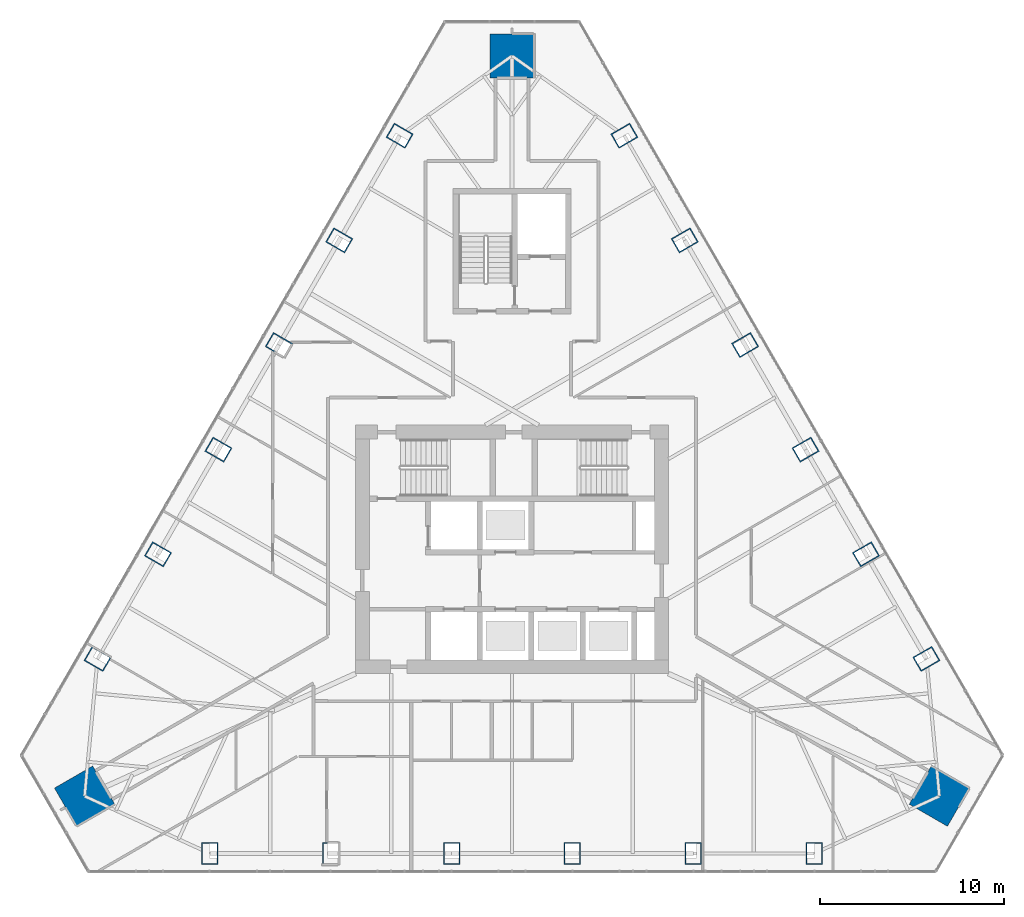
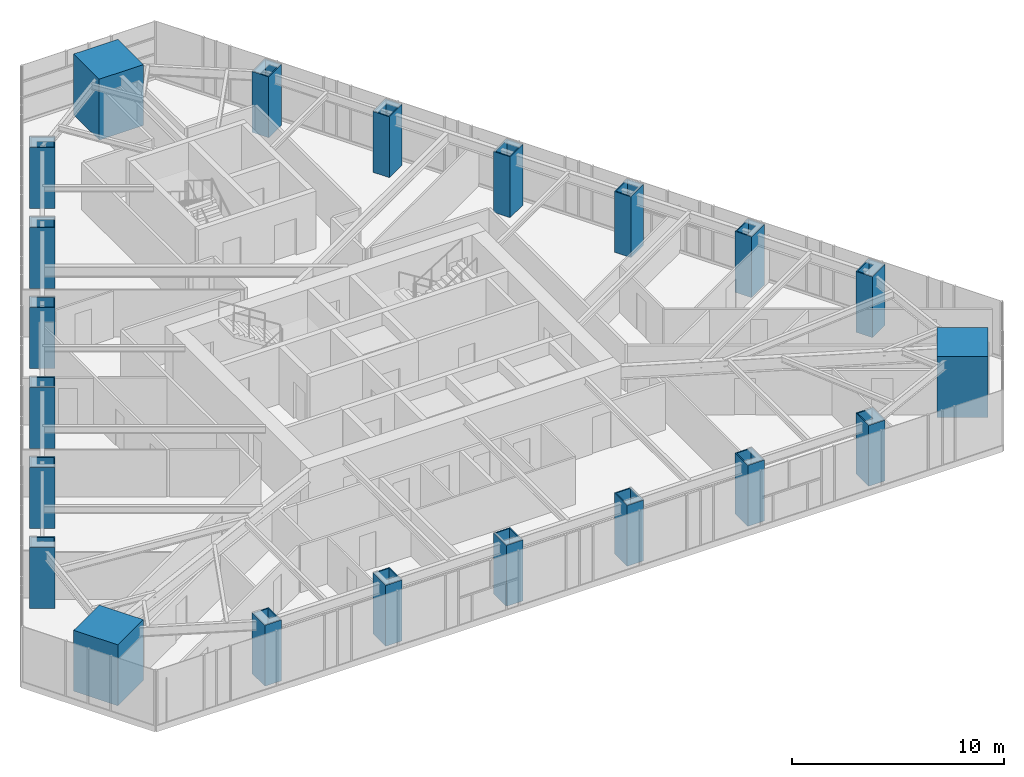
# One storey, part 1 of 20: 21 columns.
"""IFC4 building model written with IfcOpenShell, lengths in metres."""

from ifc_helpers import new_model, si_unit, direction, frame, origin, origin_2d, place, context, subcontext, project, spatial, rectangle, hollow_rectangle, extrude, material, material_profile, profile_set, type_object, element, save


model = new_model("IFC4")

# Units and contexts
model_context = context("Model", 3, precision=1e-05, world=origin(), true_north=direction((0.0, 1.0)))
body_context = subcontext(model_context, "Body", "Model", "MODEL_VIEW")
ifc_project = project(units=[si_unit("LENGTHUNIT", "METRE"), si_unit("AREAUNIT", "SQUARE_METRE"), si_unit("VOLUMEUNIT", "CUBIC_METRE"), si_unit("PLANEANGLEUNIT", "RADIAN"), si_unit("MASSUNIT", "GRAM", prefix="KILO")], contexts=[model_context])

# Site, building, storey
site_placement = place(None, origin())
site = spatial("IfcSite", under=ifc_project, at=site_placement, CompositionType="ELEMENT")
building_placement = place(site_placement, origin())
building = spatial("IfcBuilding", under=site, at=building_placement, Name="Firuza Gate Tower and Library", CompositionType="ELEMENT")
storey_placement = place(building_placement, frame((0.0, 0.0, 277.60009765625)))
storey = spatial("IfcBuildingStorey", under=building, at=storey_placement, Name="L66", CompositionType="ELEMENT", Elevation=277.60009765625)

# Columns
ifc_material_1 = material(Name="Steel S355", Category="steel")
ifc_material_profile_1 = material_profile(ifc_material_1, hollow_rectangle(XDim=0.89990234375, YDim=1.199951171875, WallThickness=0.06005859375, at=origin_2d()))
ifc_profile_set_1 = profile_set([ifc_material_profile_1], Name="Steel S355")
column_type_1 = type_object("IfcColumnType", Name="BU1200x900x60 Composite box column", PredefinedType="COLUMN", material=ifc_profile_set_1)
for number, where, z_axis, x_axis, name in (
    (1, (58.586669921875, 58.476318359375, -0.00048828125), (0.0, 0.0, 1.0), (1.0, 0.0, 0.0), "Column S1 L66"),
    (2, (65.152099609375, 58.476318359375, -0.00048828125), (0.0, 0.0, 1.0), (1.0, 0.0, 0.0), "Column S2 L66"),
    (3, (71.71728515625, 58.476318359375, -0.00048828125), (0.0, 0.0, 1.0), (1.0, 0.0, 0.0), "Column S3 L66"),
    (4, (78.28271484375, 58.476318359375, -0.00048828125), (0.0, 0.0, 1.0), (1.0, 0.0, 0.0), "Column S4 L66"),
    (5, (84.847900390625, 58.476318359375, -0.00048828125), (0.0, 0.0, 1.0), (1.0, 0.0, 0.0), "Column S5 L66"),
    (6, (91.413330078125, 58.476318359375, -0.00048828125), (0.0, 0.0, 1.0), (1.0, 0.0, 0.0), "Column S6 L66"),
    (7, (97.5166015625, 69.04736328125, -0.00048828125), (0.0, 0.0, 1.0), (-0.5, 0.866025403784, 0.0), "Column E1 L66"),
    (8, (94.23388671875, 74.733154296875, -0.00048828125), (0.0, 0.0, 1.0), (-0.5, 0.866025403784, 0.0), "Column E2 L66"),
    (9, (90.951171875, 80.4189453125, -0.00048828125), (0.0, 0.0, 1.0), (-0.5, 0.866025403784, 0.0), "Column E3 L66"),
    (10, (87.66845703125, 86.104736328125, -0.00048828125), (0.0, 0.0, 1.0), (-0.5, 0.866025403784, 0.0), "Column E4 L66"),
    (11, (84.385986328125, 91.79052734375, -0.00048828125), (0.0, 0.0, 1.0), (-0.5, 0.866025403784, 0.0), "Column E5 L66"),
    (12, (81.103271484375, 97.47607421875, -0.00048828125), (0.0, 0.0, 1.0), (-0.5, 0.866025403784, 0.0), "Column E6 L66"),
    (13, (68.896728515625, 97.47607421875, -0.00048828125), (0.0, 0.0, 1.0), (-0.5, -0.866025403784, 0.0), "Column W1 L66"),
    (14, (65.614013671875, 91.79052734375, -0.00048828125), (0.0, 0.0, 1.0), (-0.5, -0.866025403784, 0.0), "Column W2 L66"),
    (15, (62.33154296875, 86.104736328125, -0.00048828125), (0.0, 0.0, 1.0), (-0.5, -0.866025403784, 0.0), "Column W3 L66"),
    (16, (59.048828125, 80.4189453125, -0.00048828125), (0.0, 0.0, 1.0), (-0.5, -0.866025403784, 0.0), "Column W4 L66"),
    (17, (55.76611328125, 74.733154296875, -0.00048828125), (0.0, 0.0, 1.0), (-0.5, -0.866025403784, 0.0), "Column W5 L66"),
    (18, (52.4833984375, 69.04736328125, -0.00048828125), (0.0, 0.0, 1.0), (-0.5, -0.866025403784, 0.0), "Column W6 L66"),
):
    element("IfcColumn", number, at=place(storey_placement, frame(where, z_axis=z_axis, x_axis=x_axis)), inside=storey, type_object=column_type_1, Name=name, PredefinedType="COLUMN", context=body_context, shape_type="SweptSolid", body=[
        extrude(hollow_rectangle(XDim=0.89990234375, YDim=1.199951171875, WallThickness=0.06005859375, at=origin_2d()), origin(), (0.0, 0.0, 1.0), 3.50048828125),
    ])
ifc_material_2 = material(Name="Concrete C80/95", Category="concrete")
ifc_material_profile_2 = material_profile(ifc_material_2, rectangle(XDim=2.39990234375, YDim=2.39990234375, at=origin_2d()))
ifc_profile_set_2 = profile_set([ifc_material_profile_2], Name="Concrete C80/95")
column_type_2 = type_object("IfcColumnType", Name="Mega column 2400x2400 C80/95", PredefinedType="COLUMN", material=ifc_profile_set_2)
for number, where, z_axis, x_axis, name in (
    (19, (98.2197265625, 61.593994140625, 0.0), (0.0, 0.0, 1.0), (0.5, 0.866025403784, 0.0), "Mega column SE L66"),
    (20, (75.0, 101.81201171875, 0.0), (0.0, 0.0, 1.0), (-1.0, 0.0, 0.0), "Mega column N L66"),
    (21, (51.7802734375, 61.593994140625, 0.0), (0.0, 0.0, 1.0), (0.5, -0.866025403784, 0.0), "Mega column SW L66"),
):
    element("IfcColumn", number, at=place(storey_placement, frame(where, z_axis=z_axis, x_axis=x_axis)), inside=storey, type_object=column_type_2, Name=name, PredefinedType="COLUMN", context=body_context, shape_type="SweptSolid", body=[
        extrude(rectangle(XDim=2.39990234375, YDim=2.39990234375, at=origin_2d()), origin(), (0.0, 0.0, 1.0), 3.5),
    ])

save(model, "model.ifc")
